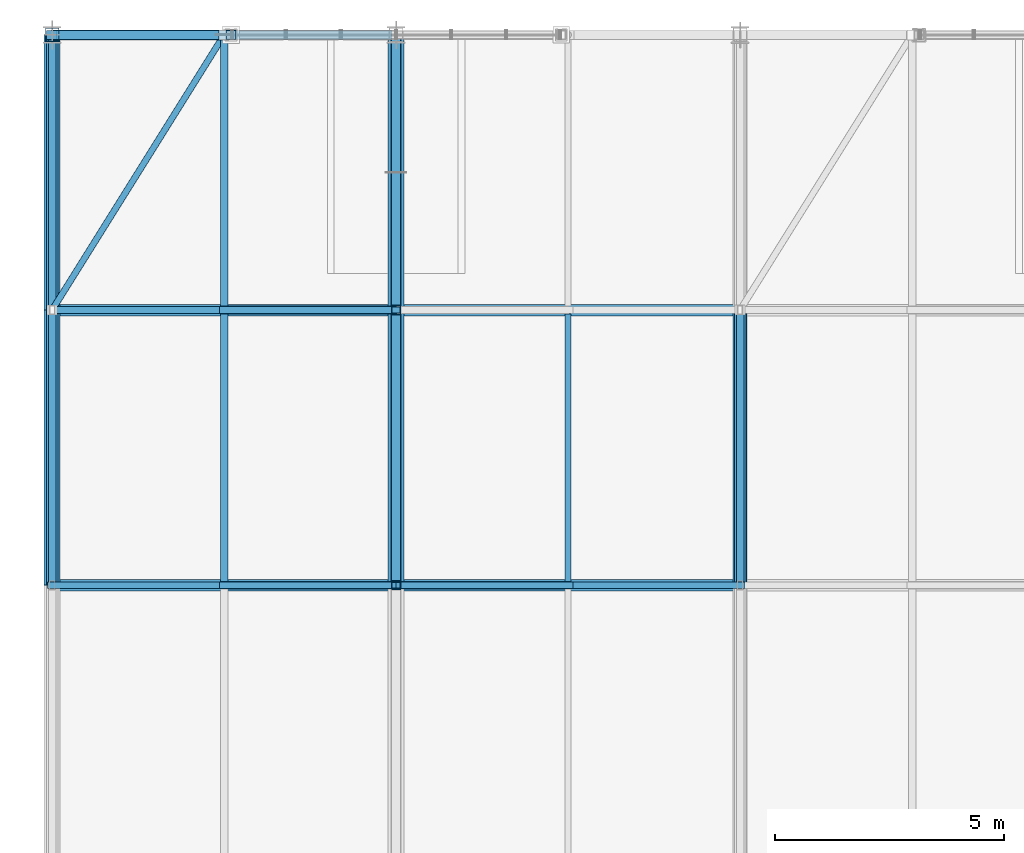
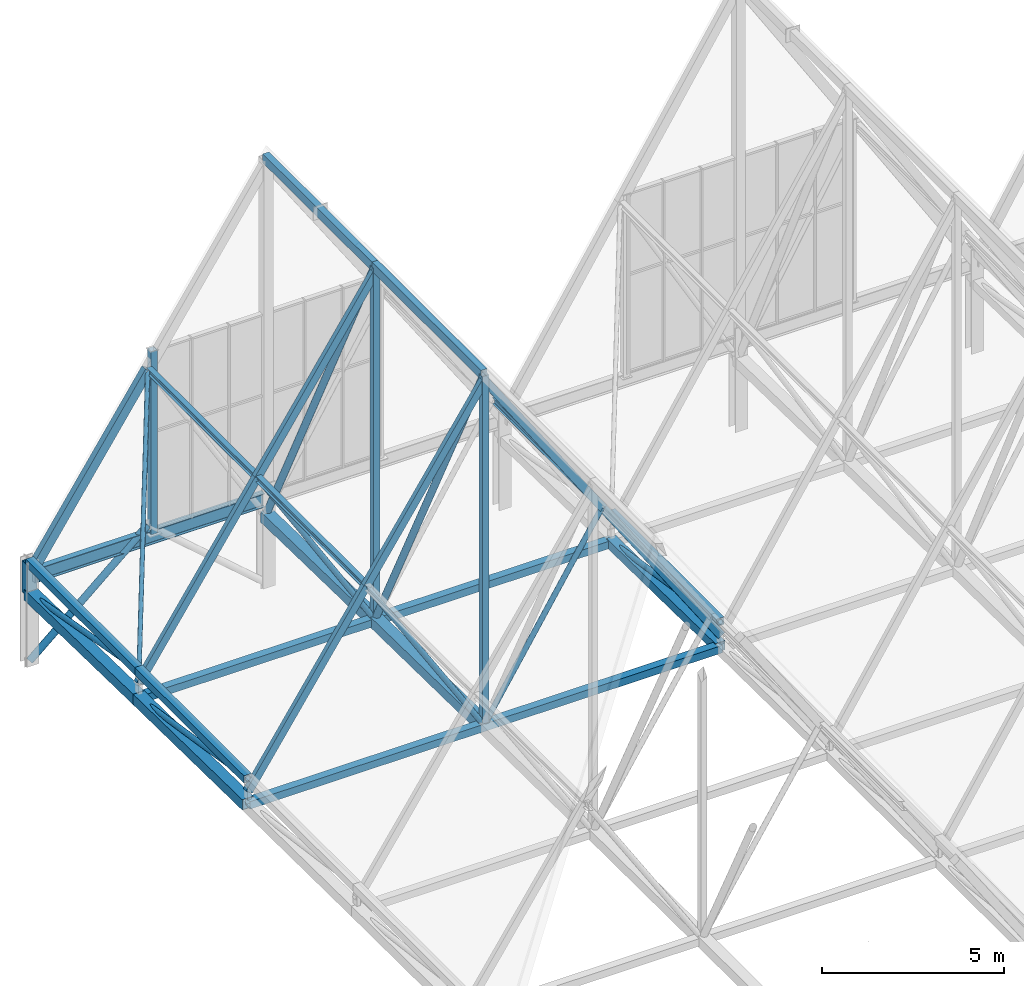
# One storey, part 107 of 324: 33 members, 4 beams.
"""IFC4 building model written with IfcOpenShell, lengths in metres."""

from ifc_helpers import new_model, si_unit, direction, frame, origin, origin_2d, place, context, subcontext, project, spatial, hollow_rectangle, hollow_circle, i_section, extrude, material, material_profile, profile_set, type_object, element, save


model = new_model("IFC4")

# Units and contexts
model_context = context("Model", 3, precision=1e-05, world=origin(), true_north=direction((0.0, 1.0)))
body_context = subcontext(model_context, "Body", "Model", "MODEL_VIEW")
ifc_project = project(units=[si_unit("LENGTHUNIT", "METRE"), si_unit("AREAUNIT", "SQUARE_METRE"), si_unit("VOLUMEUNIT", "CUBIC_METRE"), si_unit("PLANEANGLEUNIT", "RADIAN"), si_unit("MASSUNIT", "GRAM", prefix="KILO")], contexts=[model_context])

# Site, building, storey
site_placement = place(None, origin())
site = spatial("IfcSite", under=ifc_project, at=site_placement, CompositionType="ELEMENT")
building_placement = place(site_placement, origin())
building = spatial("IfcBuilding", under=site, at=building_placement, Name="Solvenia Promenade Tram Depot", CompositionType="ELEMENT")
storey_placement = place(building_placement, frame((0.0, 0.0, 4.5)))
storey = spatial("IfcBuildingStorey", under=building, at=storey_placement, Name="L01", CompositionType="ELEMENT", Elevation=4.5)

# Members
ifc_material_1 = material(Name="Structural steel ASTM A500 Gr. C", Category="steel")
ifc_material_profile_1 = material_profile(ifc_material_1, hollow_circle(Radius=0.109619140625, WallThickness=0.008056640625, at=origin_2d()), Name="CHS219.1x8", Category="steel")
ifc_profile_set_1 = profile_set([ifc_material_profile_1], Name="Structural steel ASTM A500 Gr. C")
member_type_1 = type_object("IfcMemberType", Name="Brace-CHS219x8", PredefinedType="BRACE", material=ifc_profile_set_1)
member_1_placement = place(storey_placement, frame((7.5, 120.0, 2.446044921875), z_axis=(0.0, -0.450849563736, 0.892599950078), x_axis=(1.0, 0.0, 0.0)))
element("IfcMember", 1, at=member_1_placement, inside=storey, type_object=member_type_1, Name="Arched Truss T02 Web Diagonal S09", PredefinedType="BRACE", context=body_context, shape_type="SweptSolid", body=[
    extrude(hollow_circle(Radius=0.109619140625, WallThickness=0.008056640625, at=origin_2d()), origin(), (0.0, 0.0, 1.0), 13.30810546875),
])
member_2_placement = place(storey_placement, frame((7.5, 126.0, 2.320068359375), z_axis=(0.0, -0.447068059613, 0.894499944144), x_axis=(1.0, 0.0, 0.0)))
element("IfcMember", 2, at=member_2_placement, inside=storey, type_object=member_type_1, Name="Arched Truss T02 Web Diagonal S10", PredefinedType="BRACE", context=body_context, shape_type="SweptSolid", body=[
    extrude(hollow_circle(Radius=0.109619140625, WallThickness=0.008056640625, at=origin_2d()), origin(), (0.0, 0.0, 1.0), 13.420654296875),
])
member_3_placement = place(storey_placement, frame((0.0, 126.0, 0.050048828125), z_axis=(0.75568908279, 0.0, 0.654930538418), x_axis=(0.0, 1.0, 0.0)))
element("IfcMember", 3, at=member_3_placement, inside=storey, type_object=member_type_1, Name="PAC-DES Chevron Brace 05L", PredefinedType="BRACE", context=body_context, shape_type="SweptSolid", body=[
    extrude(hollow_circle(Radius=0.109619140625, WallThickness=0.008056640625, at=origin_2d()), origin(), (0.0, 0.0, 1.0), 4.96240234375),
])
ifc_material_profile_2 = material_profile(ifc_material_1, hollow_rectangle(XDim=0.14990234375, YDim=0.25, WallThickness=0.010009765625, at=origin_2d()), Name="HSS250x150x10", Category="steel")
ifc_profile_set_2 = profile_set([ifc_material_profile_2], Name="Structural steel ASTM A500 Gr. C")
member_type_2 = type_object("IfcMemberType", Name="Chord-HSS250x150x10", PredefinedType="CHORD", material=ifc_profile_set_2)
for number, where, z_axis, x_axis, name in (
    (4, (0.0, 114.0, 2.95703125), (0.557276274528, 0.0, 0.830327136644), (0.0, 1.0, 0.0), "Zigzag Gable 01 West Lower Rafter"),
    (5, (3.75, 114.0, 8.54443359375), (0.557259486914, 0.0, 0.83033840345), (0.0, 1.0, 0.0), "Zigzag Gable 01 West Upper Rafter"),
    (6, (7.5, 114.0, 14.132080078125), (0.557259486914, 0.0, -0.83033840345), (0.0, 1.0, 0.0), "Zigzag Gable 01 East Upper Rafter"),
    (7, (11.25, 114.0, 8.54443359375), (0.557276274528, 0.0, -0.830327136644), (0.0, 1.0, 0.0), "Zigzag Gable 01 East Lower Rafter"),
    (8, (0.0, 120.0, 2.95703125), (0.557276274528, 0.0, 0.830327136644), (0.0, 1.0, 0.0), "Zigzag Gable 01 West Lower Rafter"),
    (9, (3.75, 120.0, 8.54443359375), (0.557259486914, 0.0, 0.83033840345), (0.0, 1.0, 0.0), "Zigzag Gable 01 West Upper Rafter"),
):
    element("IfcMember", number, at=place(storey_placement, frame(where, z_axis=z_axis, x_axis=x_axis)), inside=storey, type_object=member_type_2, Name=name, PredefinedType="CHORD", context=body_context, shape_type="SweptSolid", body=[
        extrude(hollow_rectangle(XDim=0.14990234375, YDim=0.25, WallThickness=0.010009765625, at=origin_2d()), origin(), (0.0, 0.0, 1.0), 6.729248046875),
    ])
ifc_material_profile_3 = material_profile(ifc_material_1, hollow_rectangle(XDim=0.25, YDim=0.25, WallThickness=0.010009765625, at=origin_2d()), Name="HSS250x250x10", Category="steel")
ifc_profile_set_3 = profile_set([ifc_material_profile_3], Name="Structural steel ASTM A500 Gr. C")
member_type_3 = type_object("IfcMemberType", Name="Chord-HSS250x250x10", PredefinedType="CHORD", material=ifc_profile_set_3)
for number, where, z_axis, x_axis, name in (
    (10, (0.0, 114.0, 3.3798828125), (0.0, 1.0, 0.0), (-1.0, 0.0, 0.0), "Arched Truss T01 Upper Chord S09"),
    (11, (0.0, 120.0, 3.3798828125), (0.0, 1.0, 0.0), (-1.0, 0.0, 0.0), "Arched Truss T01 Upper Chord S10"),
    (12, (15.0, 114.0, 3.3798828125), (0.0, 1.0, 0.0), (-1.0, 0.0, 0.0), "Arched Truss T03 Upper Chord S09"),
):
    element("IfcMember", number, at=place(storey_placement, frame(where, z_axis=z_axis, x_axis=x_axis)), inside=storey, type_object=member_type_3, Name=name, PredefinedType="CHORD", context=body_context, shape_type="SweptSolid", body=[
        extrude(hollow_rectangle(XDim=0.25, YDim=0.25, WallThickness=0.010009765625, at=origin_2d()), origin(), (0.0, 0.0, 1.0), 6.0),
    ])
for number, where, z_axis, x_axis, name in (
    (13, (0.0, 114.0, 2.5439453125), (1.0, 0.0, 0.0), (0.0, 1.0, 0.0), "Bottom-Chord Catenary Lateral Tie 008"),
    (14, (0.0, 120.0, 2.446044921875), (1.0, 0.0, 0.0), (0.0, 1.0, 0.0), "Bottom-Chord Catenary Lateral Tie 009"),
):
    element("IfcMember", number, at=place(storey_placement, frame(where, z_axis=z_axis, x_axis=x_axis)), inside=storey, type_object=member_type_3, Name=name, PredefinedType="CHORD", context=body_context, shape_type="SweptSolid", body=[
        extrude(hollow_rectangle(XDim=0.25, YDim=0.25, WallThickness=0.010009765625, at=origin_2d()), origin(), (0.0, 0.0, 1.0), 15.0),
    ])
ifc_material_profile_4 = material_profile(ifc_material_1, hollow_rectangle(XDim=0.199951171875, YDim=0.300048828125, WallThickness=0.012451171875, at=origin_2d()), Name="HSS300x200x12.5", Category="steel")
ifc_profile_set_4 = profile_set([ifc_material_profile_4], Name="Structural steel ASTM A500 Gr. C")
member_type_4 = type_object("IfcMemberType", Name="Chord-HSS300x200x12", PredefinedType="CHORD", material=ifc_profile_set_4)
for number, where, z_axis, x_axis, name in (
    (15, (7.5, 114.0, 14.324951171875), (0.0, 1.0, 0.0), (-1.0, 0.0, 0.0), "Arched Truss T02 Upper Chord S09"),
    (16, (7.5, 120.0, 14.324951171875), (0.0, 1.0, 0.0), (-1.0, 0.0, 0.0), "Arched Truss T02 Upper Chord S10"),
):
    element("IfcMember", number, at=place(storey_placement, frame(where, z_axis=z_axis, x_axis=x_axis)), inside=storey, type_object=member_type_4, Name=name, PredefinedType="CHORD", context=body_context, shape_type="SweptSolid", body=[
        extrude(hollow_rectangle(XDim=0.199951171875, YDim=0.300048828125, WallThickness=0.012451171875, at=origin_2d()), origin(), (0.0, 0.0, 1.0), 6.0),
    ])
member_4_placement = place(storey_placement, frame((0.0, 126.0, 2.95703125), z_axis=(0.557276274528, 0.0, 0.830327136644), x_axis=(0.0, 1.0, 0.0)))
element("IfcMember", 17, at=member_4_placement, inside=storey, type_object=member_type_4, Name="Zigzag Gable 01 West Lower Rafter", PredefinedType="CHORD", context=body_context, shape_type="SweptSolid", body=[
    extrude(hollow_rectangle(XDim=0.199951171875, YDim=0.300048828125, WallThickness=0.012451171875, at=origin_2d()), origin(), (0.0, 0.0, 1.0), 6.729248046875),
])
ifc_material_profile_5 = material_profile(ifc_material_1, hollow_rectangle(XDim=0.300048828125, YDim=0.300048828125, WallThickness=0.012451171875, at=origin_2d()), Name="HSS300x300x12.5", Category="steel")
ifc_profile_set_5 = profile_set([ifc_material_profile_5], Name="Structural steel ASTM A500 Gr. C")
member_type_5 = type_object("IfcMemberType", Name="Chord-HSS300x300x12", PredefinedType="CHORD", material=ifc_profile_set_5)
member_5_placement = place(storey_placement, frame((0.0, 126.0, 2.320068359375), z_axis=(0.0, 0.0, 1.0), x_axis=(1.0, 0.0, 0.0)))
element("IfcMember", 18, at=member_5_placement, inside=storey, type_object=member_type_5, Name="Arched Truss T01 N End Post", PredefinedType="CHORD", context=body_context, shape_type="SweptSolid", body=[
    extrude(hollow_rectangle(XDim=0.300048828125, YDim=0.300048828125, WallThickness=0.012451171875, at=origin_2d()), origin(), (0.0, 0.0, 1.0), 1.059814453125),
])
member_6_placement = place(storey_placement, frame((15.0, 114.0, 2.5439453125), z_axis=(0.0, 0.999866908707, -0.016314560156), x_axis=(-1.0, 0.0, 0.0)))
element("IfcMember", 19, at=member_6_placement, inside=storey, type_object=member_type_5, Name="Arched Truss T03 Bottom Chord S09", PredefinedType="CHORD", context=body_context, shape_type="SweptSolid", body=[
    extrude(hollow_rectangle(XDim=0.300048828125, YDim=0.300048828125, WallThickness=0.012451171875, at=origin_2d()), origin(), (0.0, 0.0, 1.0), 6.000732421875),
])
ifc_material_profile_6 = material_profile(ifc_material_1, hollow_rectangle(XDim=0.35009765625, YDim=0.35009765625, WallThickness=0.01611328125, at=origin_2d()), Name="HSS350x350x16", Category="steel")
ifc_profile_set_6 = profile_set([ifc_material_profile_6], Name="Structural steel ASTM A500 Gr. C")
member_type_6 = type_object("IfcMemberType", Name="Chord-HSS350x350x16", PredefinedType="CHORD", material=ifc_profile_set_6)
member_7_placement = place(storey_placement, frame((0.0, 114.0, 2.5439453125), z_axis=(0.0, 0.999866908707, -0.016314560156), x_axis=(-1.0, 0.0, 0.0)))
element("IfcMember", 20, at=member_7_placement, inside=storey, type_object=member_type_6, Name="Arched Truss T01 Bottom Chord S09", PredefinedType="CHORD", context=body_context, shape_type="SweptSolid", body=[
    extrude(hollow_rectangle(XDim=0.35009765625, YDim=0.35009765625, WallThickness=0.01611328125, at=origin_2d()), origin(), (0.0, 0.0, 1.0), 6.000732421875),
])
member_8_placement = place(storey_placement, frame((0.0, 120.0, 2.446044921875), z_axis=(0.0, 0.999779654873, -0.020991467363), x_axis=(-1.0, 0.0, 0.0)))
element("IfcMember", 21, at=member_8_placement, inside=storey, type_object=member_type_6, Name="Arched Truss T01 Bottom Chord S10", PredefinedType="CHORD", context=body_context, shape_type="SweptSolid", body=[
    extrude(hollow_rectangle(XDim=0.35009765625, YDim=0.35009765625, WallThickness=0.01611328125, at=origin_2d()), origin(), (0.0, 0.0, 1.0), 6.001220703125),
])
member_9_placement = place(storey_placement, frame((7.5, 114.0, 2.5439453125), z_axis=(0.0, 0.999866908707, -0.016314560156), x_axis=(-1.0, 0.0, 0.0)))
element("IfcMember", 22, at=member_9_placement, inside=storey, type_object=member_type_6, Name="Arched Truss T02 Bottom Chord S09", PredefinedType="CHORD", context=body_context, shape_type="SweptSolid", body=[
    extrude(hollow_rectangle(XDim=0.35009765625, YDim=0.35009765625, WallThickness=0.01611328125, at=origin_2d()), origin(), (0.0, 0.0, 1.0), 6.000732421875),
])
member_10_placement = place(storey_placement, frame((7.5, 120.0, 2.446044921875), z_axis=(0.0, 0.999779654873, -0.020991467363), x_axis=(-1.0, 0.0, 0.0)))
element("IfcMember", 23, at=member_10_placement, inside=storey, type_object=member_type_6, Name="Arched Truss T02 Bottom Chord S10", PredefinedType="CHORD", context=body_context, shape_type="SweptSolid", body=[
    extrude(hollow_rectangle(XDim=0.35009765625, YDim=0.35009765625, WallThickness=0.01611328125, at=origin_2d()), origin(), (0.0, 0.0, 1.0), 6.001220703125),
])
ifc_material_profile_7 = material_profile(ifc_material_1, hollow_rectangle(XDim=0.199951171875, YDim=0.199951171875, WallThickness=0.010009765625, at=origin_2d()), Name="HSS200x200x10", Category="steel")
ifc_profile_set_7 = profile_set([ifc_material_profile_7], Name="Structural steel ASTM A500 Gr. C")
member_type_7 = type_object("IfcMemberType", Name="Post-HSS200x200x10", PredefinedType="POST", material=ifc_profile_set_7)
member_11_placement = place(storey_placement, frame((7.5, 114.0, 2.5439453125), z_axis=(0.0, 0.0, 1.0), x_axis=(1.0, 0.0, 0.0)))
element("IfcMember", 24, at=member_11_placement, inside=storey, type_object=member_type_7, Name="Arched Truss T02 Web Post S08", PredefinedType="POST", context=body_context, shape_type="SweptSolid", body=[
    extrude(hollow_rectangle(XDim=0.199951171875, YDim=0.199951171875, WallThickness=0.010009765625, at=origin_2d()), origin(), (0.0, 0.0, 1.0), 11.781005859375),
])
member_12_placement = place(storey_placement, frame((7.5, 120.0, 2.446044921875), z_axis=(0.0, 0.0, 1.0), x_axis=(1.0, 0.0, 0.0)))
element("IfcMember", 25, at=member_12_placement, inside=storey, type_object=member_type_7, Name="Arched Truss T02 Web Post S09", PredefinedType="POST", context=body_context, shape_type="SweptSolid", body=[
    extrude(hollow_rectangle(XDim=0.199951171875, YDim=0.199951171875, WallThickness=0.010009765625, at=origin_2d()), origin(), (0.0, 0.0, 1.0), 11.87890625),
])
member_13_placement = place(storey_placement, frame((3.89990234375, 126.0, 3.0), z_axis=(0.0, 0.0, 1.0), x_axis=(1.0, 0.0, 0.0)))
element("IfcMember", 26, at=member_13_placement, inside=storey, type_object=member_type_7, Name="Gable Curtain-Wall Steel Jamb Post 001", PredefinedType="POST", context=body_context, shape_type="SweptSolid", body=[
    extrude(hollow_rectangle(XDim=0.199951171875, YDim=0.199951171875, WallThickness=0.010009765625, at=origin_2d()), origin(), (0.0, 0.0, 1.0), 6.14990234375),
])

# Beams
ifc_material_2 = material(Name="Structural steel ASTM A992 Gr. 50", Category="steel")
ifc_material_profile_8 = material_profile(ifc_material_2, i_section(OverallWidth=0.133056640625, OverallDepth=0.20703125, WebThickness=0.005859375, FlangeThickness=0.00830078125, FilletRadius=0.009033203125, at=origin_2d()), Name="W200x27", Category="steel")
ifc_profile_set_8 = profile_set([ifc_material_profile_8], Name="Structural steel ASTM A992 Gr. 50")
beam_type_1 = type_object("IfcBeamType", Name="Purlin-W200x27", PredefinedType="USERDEFINED", material=ifc_profile_set_8)
beam_1_placement = place(storey_placement, frame((11.25, 114.0849609375, 8.551025390625), z_axis=(0.0, 1.0, 0.0), x_axis=(-1.0, 0.0, 0.0)))
element("IfcBeam", 27, at=beam_1_placement, inside=storey, type_object=beam_type_1, Name="Gable Roof Purlin E-0018", ObjectType="PURLIN", PredefinedType="USERDEFINED", context=body_context, shape_type="SweptSolid", body=[
    extrude(i_section(OverallWidth=0.133056640625, OverallDepth=0.20703125, WebThickness=0.005859375, FlangeThickness=0.00830078125, FilletRadius=0.009033203125, at=origin_2d()), origin(), (0.0, 0.0, 1.0), 5.830078125),
])
ifc_material_profile_9 = material_profile(ifc_material_2, i_section(OverallWidth=0.1650390625, OverallDepth=0.200927734375, WebThickness=0.006103515625, FlangeThickness=0.01025390625, FilletRadius=0.010009765625, at=origin_2d()), Name="W200x36", Category="steel")
ifc_profile_set_9 = profile_set([ifc_material_profile_9], Name="Structural steel ASTM A992 Gr. 50")
beam_type_2 = type_object("IfcBeamType", Name="Purlin-W200x36", PredefinedType="USERDEFINED", material=ifc_profile_set_9)
for number, where, z_axis, x_axis, name in (
    (28, (3.75, 114.0849609375, 8.551025390625), (0.0, 1.0, 0.0), (-1.0, 0.0, 0.0), "Gable Roof Purlin W-0017"),
    (29, (3.75, 120.0849609375, 8.551025390625), (0.0, 1.0, 0.0), (-1.0, 0.0, 0.0), "Gable Roof Purlin W-0019"),
):
    element("IfcBeam", number, at=place(storey_placement, frame(where, z_axis=z_axis, x_axis=x_axis)), inside=storey, type_object=beam_type_2, Name=name, ObjectType="PURLIN", PredefinedType="USERDEFINED", context=body_context, shape_type="SweptSolid", body=[
        extrude(i_section(OverallWidth=0.1650390625, OverallDepth=0.200927734375, WebThickness=0.006103515625, FlangeThickness=0.01025390625, FilletRadius=0.010009765625, at=origin_2d()), origin(), (0.0, 0.0, 1.0), 5.830078125),
    ])

# Member
ifc_material_profile_10 = material_profile(ifc_material_1, hollow_circle(Radius=0.06982421875, WallThickness=0.00634765625, at=origin_2d()), Name="CHS139.7x6.3", Category="steel")
ifc_profile_set_10 = profile_set([ifc_material_profile_10], Name="Structural steel ASTM A500 Gr. C")
member_type_8 = type_object("IfcMemberType", Name="RoofBrace-CHS140x6", PredefinedType="BRACE", material=ifc_profile_set_10)
member_14_placement = place(storey_placement, frame((0.0, 120.0, 2.95703125), z_axis=(0.415944359548, 0.665510975277, 0.619746263842), x_axis=(-0.847998304005, 0.529998940003, 0.0)))
element("IfcMember", 30, at=member_14_placement, inside=storey, type_object=member_type_8, Name="Roof Plan Wind Brace 002", PredefinedType="BRACE", context=body_context, shape_type="SweptSolid", body=[
    extrude(hollow_circle(Radius=0.06982421875, WallThickness=0.00634765625, at=origin_2d()), origin(), (0.0, 0.0, 1.0), 9.015625),
])

# Beam
ifc_material_profile_11 = material_profile(ifc_material_2, i_section(OverallWidth=0.19091796875, OverallDepth=0.4599609375, WebThickness=0.010009765625, FlangeThickness=0.01611328125, FilletRadius=0.012939453125, at=origin_2d()), Name="W460x82", Category="steel")
ifc_profile_set_11 = profile_set([ifc_material_profile_11], Name="Structural steel ASTM A992 Gr. 50")
beam_type_3 = type_object("IfcBeamType", Name="Spandrel-W460x82", PredefinedType="SPANDREL", material=ifc_profile_set_11)
beam_2_placement = place(storey_placement, frame((0.0849609375, 126.0, 2.889892578125), z_axis=(1.0, 0.0, 0.0), x_axis=(0.0, 1.0, 0.0)))
element("IfcBeam", 31, at=beam_2_placement, inside=storey, type_object=beam_type_3, Name="North Shed Eave Girder BM-L01-0968", PredefinedType="SPANDREL", context=body_context, shape_type="SweptSolid", body=[
    extrude(i_section(OverallWidth=0.19091796875, OverallDepth=0.4599609375, WebThickness=0.010009765625, FlangeThickness=0.01611328125, FilletRadius=0.012939453125, at=origin_2d()), origin(), (0.0, 0.0, 1.0), 7.330078125),
])

# Members
ifc_material_profile_12 = material_profile(ifc_material_1, hollow_circle(Radius=0.084228515625, WallThickness=0.008056640625, at=origin_2d()), Name="CHS168.3x8", Category="steel")
ifc_profile_set_12 = profile_set([ifc_material_profile_12], Name="Structural steel ASTM A500 Gr. C")
member_type_9 = type_object("IfcMemberType", Name="WebDiag-CHS168x8", PredefinedType="BRACE", material=ifc_profile_set_12)
member_15_placement = place(storey_placement, frame((0.0, 120.0, 2.446044921875), z_axis=(0.0, -0.9881038455, 0.153788135133), x_axis=(1.0, 0.0, 0.0)))
element("IfcMember", 32, at=member_15_placement, inside=storey, type_object=member_type_9, Name="Arched Truss T01 Web Diagonal S09", PredefinedType="BRACE", context=body_context, shape_type="SweptSolid", body=[
    extrude(hollow_circle(Radius=0.084228515625, WallThickness=0.008056640625, at=origin_2d()), origin(), (0.0, 0.0, 1.0), 6.072265625),
])
member_16_placement = place(storey_placement, frame((0.0, 126.0, 2.320068359375), z_axis=(0.0, -0.984755712458, 0.173943056143), x_axis=(1.0, 0.0, 0.0)))
element("IfcMember", 33, at=member_16_placement, inside=storey, type_object=member_type_9, Name="Arched Truss T01 Web Diagonal S10", PredefinedType="BRACE", context=body_context, shape_type="SweptSolid", body=[
    extrude(hollow_circle(Radius=0.084228515625, WallThickness=0.008056640625, at=origin_2d()), origin(), (0.0, 0.0, 1.0), 6.0927734375),
])
member_17_placement = place(storey_placement, frame((15.0, 120.0, 2.446044921875), z_axis=(0.0, -0.9881038455, 0.153788135133), x_axis=(1.0, 0.0, 0.0)))
element("IfcMember", 34, at=member_17_placement, inside=storey, type_object=member_type_9, Name="Arched Truss T03 Web Diagonal S09", PredefinedType="BRACE", context=body_context, shape_type="SweptSolid", body=[
    extrude(hollow_circle(Radius=0.084228515625, WallThickness=0.008056640625, at=origin_2d()), origin(), (0.0, 0.0, 1.0), 6.072265625),
])
for number, where, z_axis, x_axis, name in (
    (35, (7.5, 114.0, 2.5439453125), (-0.529967925608, 0.0, 0.848017687213), (0.0, -1.0, 0.0), "Zigzag Gable 01 West Knee Strut"),
    (36, (7.5, 114.0, 2.5439453125), (0.529967925608, 0.0, 0.848017687213), (0.0, 1.0, 0.0), "Zigzag Gable 01 East Knee Strut"),
):
    element("IfcMember", number, at=place(storey_placement, frame(where, z_axis=z_axis, x_axis=x_axis)), inside=storey, type_object=member_type_9, Name=name, PredefinedType="BRACE", context=body_context, shape_type="SweptSolid", body=[
        extrude(hollow_circle(Radius=0.084228515625, WallThickness=0.008056640625, at=origin_2d()), origin(), (0.0, 0.0, 1.0), 7.075927734375),
    ])
member_18_placement = place(storey_placement, frame((7.5, 120.0, 2.446044921875), z_axis=(-0.523808186258, 0.0, 0.851836242484), x_axis=(0.0, -1.0, 0.0)))
element("IfcMember", 37, at=member_18_placement, inside=storey, type_object=member_type_9, Name="Zigzag Gable 01 West Knee Strut", PredefinedType="BRACE", context=body_context, shape_type="SweptSolid", body=[
    extrude(hollow_circle(Radius=0.084228515625, WallThickness=0.008056640625, at=origin_2d()), origin(), (0.0, 0.0, 1.0), 7.1591796875),
])

save(model, "model.ifc")
